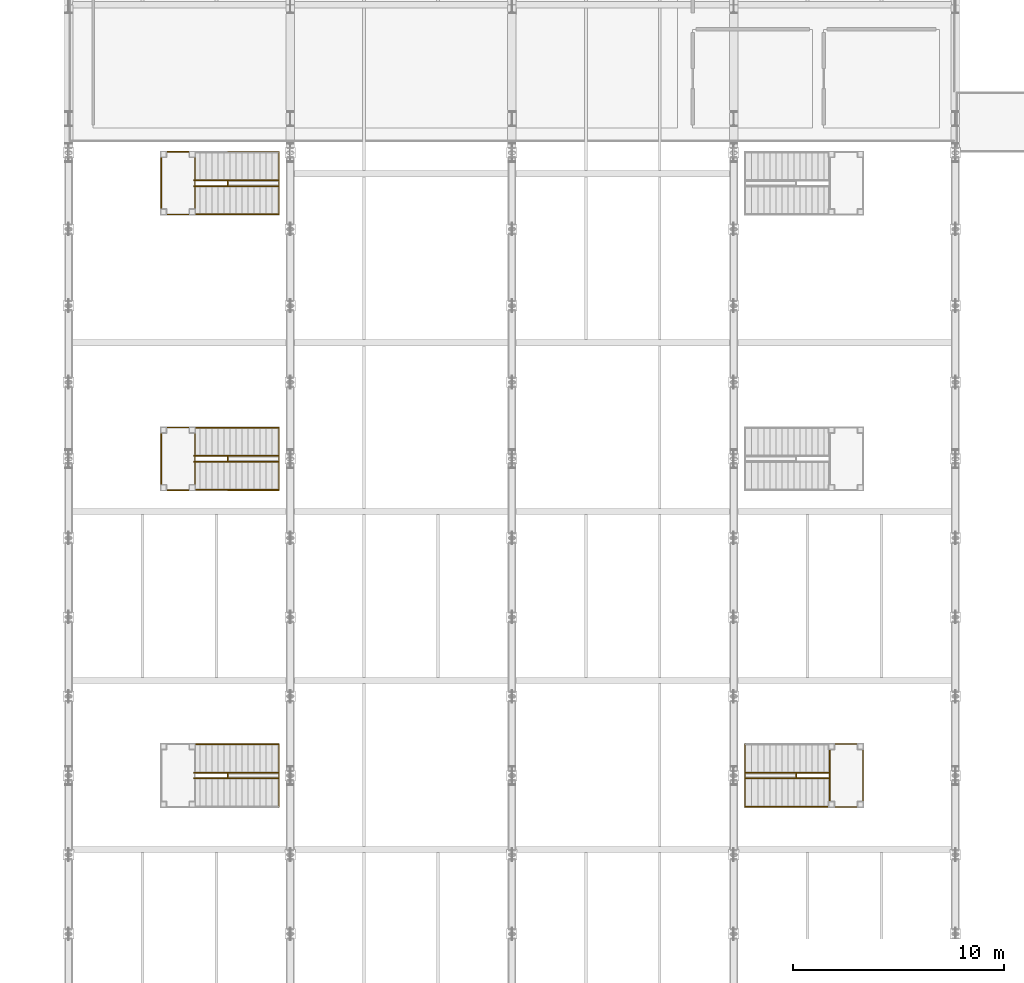
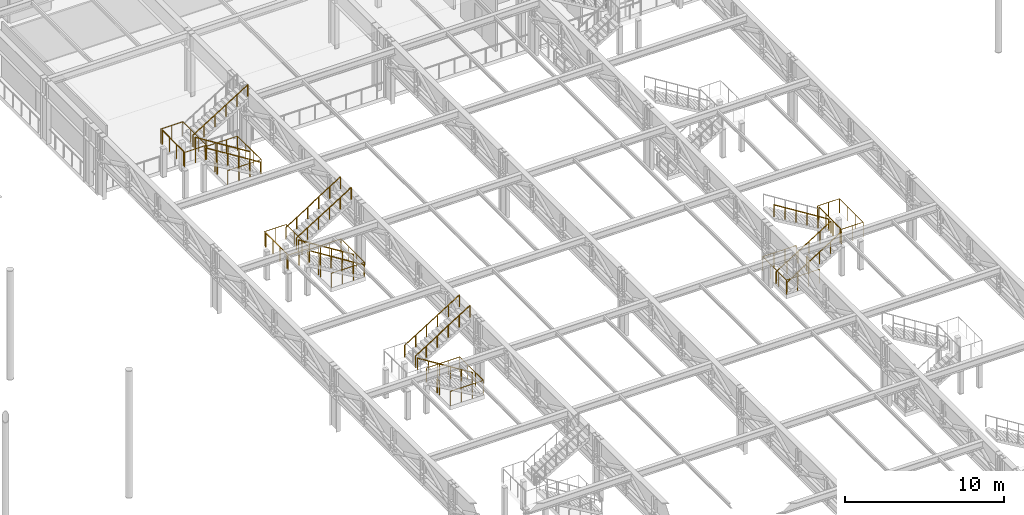
# One storey, part 128 of 143: 27 railings.
"""IFC4 building model written with IfcOpenShell, lengths in metres."""

from ifc_helpers import new_model, si_unit, direction, frame, origin, origin_2d, place, context, subcontext, project, spatial, circle, extrude, material, type_object, element, save


model = new_model("IFC4")

# Units and contexts
model_context = context("Model", 3, precision=1e-05, world=origin(), true_north=direction((0.0, 1.0)))
body_context = subcontext(model_context, "Body", "Model", "MODEL_VIEW")
ifc_project = project(units=[si_unit("LENGTHUNIT", "METRE"), si_unit("AREAUNIT", "SQUARE_METRE"), si_unit("VOLUMEUNIT", "CUBIC_METRE"), si_unit("PLANEANGLEUNIT", "RADIAN"), si_unit("MASSUNIT", "GRAM", prefix="KILO")], contexts=[model_context])

# Site, building, storey
site_placement = place(None, origin())
site = spatial("IfcSite", under=ifc_project, at=site_placement, CompositionType="ELEMENT")
building_placement = place(site_placement, origin())
building = spatial("IfcBuilding", under=site, at=building_placement, Name="Marlcrest Central Station", CompositionType="ELEMENT")
storey_placement = place(building_placement, frame((0.0, 0.0, 4.800048828125)))
storey = spatial("IfcBuildingStorey", under=building, at=storey_placement, Name="L01", CompositionType="ELEMENT", Elevation=4.800048828125)

# Railings
ifc_material_1 = material(Name="Stainless steel and laminated glass concourse balustrade", Category="steel")
railing_type_1 = type_object("IfcRailingType", Name="GR-02", PredefinedType="BALUSTRADE", material=ifc_material_1)
railing_1_placement = place(storey_placement, frame((94.5400390625, 64.510009765625, 0.0)))
element("IfcRailing", 1, at=railing_1_placement, inside=storey, type_object=railing_type_1, Name="hr-L01-00069", PredefinedType="BALUSTRADE", context=body_context, shape_type="SweptSolid", body=[
    extrude(circle(Radius=0.02392578125, at=origin_2d()), frame((0.0, 0.0, 1.09619140625), z_axis=(1.0, 0.0, 0.0), x_axis=(0.0, 1.0, 0.0)), (0.0, 0.0, 1.0), 2.419921875),
    extrude(circle(Radius=0.02392578125, at=origin_2d()), frame((2.419921875, 0.0, 1.09619140625), z_axis=(0.0, 1.0, 0.0), x_axis=(-1.0, 0.0, 0.0)), (0.0, 0.0, 1.0), 2.97998046875),
    extrude(circle(Radius=0.02392578125, at=origin_2d()), frame((2.419921875, 2.97998046875, 1.09619140625), z_axis=(-1.0, 0.0, 0.0), x_axis=(0.0, -1.0, 0.0)), (0.0, 0.0, 1.0), 2.419921875),
    extrude(circle(Radius=0.02099609375, at=origin_2d()), origin(), (0.0, 0.0, 1.0), 1.072021484375),
    extrude(circle(Radius=0.02099609375, at=origin_2d()), frame((0.806640625, 0.0, 0.0)), (0.0, 0.0, 1.0), 1.072021484375),
    extrude(circle(Radius=0.02099609375, at=origin_2d()), frame((1.61328125, 0.0, 0.0)), (0.0, 0.0, 1.0), 1.072021484375),
    extrude(circle(Radius=0.02099609375, at=origin_2d()), frame((2.419921875, 0.0, 0.0)), (0.0, 0.0, 1.0), 1.072021484375),
    extrude(circle(Radius=0.02099609375, at=origin_2d()), frame((2.419921875, 0.993408203125, 0.0)), (0.0, 0.0, 1.0), 1.072021484375),
    extrude(circle(Radius=0.02099609375, at=origin_2d()), frame((2.419921875, 1.986572265625, 0.0)), (0.0, 0.0, 1.0), 1.072021484375),
    extrude(circle(Radius=0.02099609375, at=origin_2d()), frame((2.419921875, 2.97998046875, 0.0)), (0.0, 0.0, 1.0), 1.072021484375),
    extrude(circle(Radius=0.02099609375, at=origin_2d()), frame((1.61328125, 2.97998046875, 0.0)), (0.0, 0.0, 1.0), 1.072021484375),
    extrude(circle(Radius=0.02099609375, at=origin_2d()), frame((0.806640625, 2.97998046875, 0.0)), (0.0, 0.0, 1.0), 1.072021484375),
    extrude(circle(Radius=0.02099609375, at=origin_2d()), frame((0.0, 2.97998046875, 0.0)), (0.0, 0.0, 1.0), 1.072021484375),
])
railing_2_placement = place(storey_placement, frame((94.5400390625, 65.860107421875, 0.0)))
element("IfcRailing", 2, at=railing_2_placement, inside=storey, type_object=railing_type_1, Name="hr-L01-00070", PredefinedType="BALUSTRADE", context=body_context, shape_type="SweptSolid", body=[
    extrude(circle(Radius=0.02392578125, at=origin_2d()), frame((0.0, 0.0, 1.09619140625), z_axis=(0.0, 1.0, 0.0), x_axis=(-1.0, 0.0, 0.0)), (0.0, 0.0, 1.0), 0.27978515625),
    extrude(circle(Radius=0.02099609375, at=origin_2d()), origin(), (0.0, 0.0, 1.0), 1.072021484375),
    extrude(circle(Radius=0.02099609375, at=origin_2d()), frame((0.0, 0.27978515625, 0.0)), (0.0, 0.0, 1.0), 1.072021484375),
])
railing_3_placement = place(storey_placement, frame((121.4599609375, 64.510009765625, 0.0)))
element("IfcRailing", 3, at=railing_3_placement, inside=storey, type_object=railing_type_1, Name="hr-L01-00086", PredefinedType="BALUSTRADE", context=body_context, shape_type="SweptSolid", body=[
    extrude(circle(Radius=0.02392578125, at=origin_2d()), frame((0.0, 0.0, 1.09619140625), z_axis=(-1.0, 0.0, 0.0), x_axis=(0.0, -1.0, 0.0)), (0.0, 0.0, 1.0), 2.419921875),
    extrude(circle(Radius=0.02392578125, at=origin_2d()), frame((-2.419921875, 0.0, 1.09619140625), z_axis=(0.0, 1.0, 0.0), x_axis=(-1.0, 0.0, 0.0)), (0.0, 0.0, 1.0), 2.97998046875),
    extrude(circle(Radius=0.02392578125, at=origin_2d()), frame((-2.419921875, 2.97998046875, 1.09619140625), z_axis=(1.0, 0.0, 0.0), x_axis=(0.0, 1.0, 0.0)), (0.0, 0.0, 1.0), 2.419921875),
    extrude(circle(Radius=0.02099609375, at=origin_2d()), origin(), (0.0, 0.0, 1.0), 1.072021484375),
    extrude(circle(Radius=0.02099609375, at=origin_2d()), frame((-0.806640625, 0.0, 0.0)), (0.0, 0.0, 1.0), 1.072021484375),
    extrude(circle(Radius=0.02099609375, at=origin_2d()), frame((-1.61328125, 0.0, 0.0)), (0.0, 0.0, 1.0), 1.072021484375),
    extrude(circle(Radius=0.02099609375, at=origin_2d()), frame((-2.419921875, 0.0, 0.0)), (0.0, 0.0, 1.0), 1.072021484375),
    extrude(circle(Radius=0.02099609375, at=origin_2d()), frame((-2.419921875, 0.993408203125, 0.0)), (0.0, 0.0, 1.0), 1.072021484375),
    extrude(circle(Radius=0.02099609375, at=origin_2d()), frame((-2.419921875, 1.986572265625, 0.0)), (0.0, 0.0, 1.0), 1.072021484375),
    extrude(circle(Radius=0.02099609375, at=origin_2d()), frame((-2.419921875, 2.97998046875, 0.0)), (0.0, 0.0, 1.0), 1.072021484375),
    extrude(circle(Radius=0.02099609375, at=origin_2d()), frame((-1.61328125, 2.97998046875, 0.0)), (0.0, 0.0, 1.0), 1.072021484375),
    extrude(circle(Radius=0.02099609375, at=origin_2d()), frame((-0.806640625, 2.97998046875, 0.0)), (0.0, 0.0, 1.0), 1.072021484375),
    extrude(circle(Radius=0.02099609375, at=origin_2d()), frame((0.0, 2.97998046875, 0.0)), (0.0, 0.0, 1.0), 1.072021484375),
])
railing_4_placement = place(storey_placement, frame((121.4599609375, 65.860107421875, 0.0)))
element("IfcRailing", 4, at=railing_4_placement, inside=storey, type_object=railing_type_1, Name="hr-L01-00087", PredefinedType="BALUSTRADE", context=body_context, shape_type="SweptSolid", body=[
    extrude(circle(Radius=0.02392578125, at=origin_2d()), frame((0.0, 0.0, 1.09619140625), z_axis=(0.0, 1.0, 0.0), x_axis=(-1.0, 0.0, 0.0)), (0.0, 0.0, 1.0), 0.27978515625),
    extrude(circle(Radius=0.02099609375, at=origin_2d()), origin(), (0.0, 0.0, 1.0), 1.072021484375),
    extrude(circle(Radius=0.02099609375, at=origin_2d()), frame((0.0, 0.27978515625, 0.0)), (0.0, 0.0, 1.0), 1.072021484375),
])
railing_5_placement = place(storey_placement, frame((123.02001953125, 64.510009765625, 2.5)))
element("IfcRailing", 5, at=railing_5_placement, inside=storey, type_object=railing_type_1, Name="hr-L01-00101", PredefinedType="BALUSTRADE", context=body_context, shape_type="SweptSolid", body=[
    extrude(circle(Radius=0.02392578125, at=origin_2d()), frame((0.0, 0.0, 1.09619140625), z_axis=(1.0, 0.0, 0.0), x_axis=(0.0, 1.0, 0.0)), (0.0, 0.0, 1.0), 1.60009765625),
    extrude(circle(Radius=0.02392578125, at=origin_2d()), frame((1.60009765625, 0.0, 1.09619140625), z_axis=(0.0, 1.0, 0.0), x_axis=(-1.0, 0.0, 0.0)), (0.0, 0.0, 1.0), 2.97998046875),
    extrude(circle(Radius=0.02392578125, at=origin_2d()), frame((1.60009765625, 2.97998046875, 1.09619140625), z_axis=(-1.0, 0.0, 0.0), x_axis=(0.0, -1.0, 0.0)), (0.0, 0.0, 1.0), 1.60009765625),
    extrude(circle(Radius=0.02099609375, at=origin_2d()), origin(), (0.0, 0.0, 1.0), 1.072021484375),
    extrude(circle(Radius=0.02099609375, at=origin_2d()), frame((0.800048828125, 0.0, 0.0)), (0.0, 0.0, 1.0), 1.072021484375),
    extrude(circle(Radius=0.02099609375, at=origin_2d()), frame((1.60009765625, 0.0, 0.0)), (0.0, 0.0, 1.0), 1.072021484375),
    extrude(circle(Radius=0.02099609375, at=origin_2d()), frame((1.60009765625, 0.993408203125, 0.0)), (0.0, 0.0, 1.0), 1.072021484375),
    extrude(circle(Radius=0.02099609375, at=origin_2d()), frame((1.60009765625, 1.986572265625, 0.0)), (0.0, 0.0, 1.0), 1.072021484375),
    extrude(circle(Radius=0.02099609375, at=origin_2d()), frame((1.60009765625, 2.97998046875, 0.0)), (0.0, 0.0, 1.0), 1.072021484375),
    extrude(circle(Radius=0.02099609375, at=origin_2d()), frame((0.800048828125, 2.97998046875, 0.0)), (0.0, 0.0, 1.0), 1.072021484375),
    extrude(circle(Radius=0.02099609375, at=origin_2d()), frame((0.0, 2.97998046875, 0.0)), (0.0, 0.0, 1.0), 1.072021484375),
])
railing_6_placement = place(storey_placement, frame((94.5400390625, 79.510009765625, 0.0)))
element("IfcRailing", 6, at=railing_6_placement, inside=storey, type_object=railing_type_1, Name="hr-L01-00103", PredefinedType="BALUSTRADE", context=body_context, shape_type="SweptSolid", body=[
    extrude(circle(Radius=0.02392578125, at=origin_2d()), frame((0.0, 0.0, 1.09619140625), z_axis=(1.0, 0.0, 0.0), x_axis=(0.0, 1.0, 0.0)), (0.0, 0.0, 1.0), 2.419921875),
    extrude(circle(Radius=0.02392578125, at=origin_2d()), frame((2.419921875, 0.0, 1.09619140625), z_axis=(0.0, 1.0, 0.0), x_axis=(-1.0, 0.0, 0.0)), (0.0, 0.0, 1.0), 2.97998046875),
    extrude(circle(Radius=0.02392578125, at=origin_2d()), frame((2.419921875, 2.97998046875, 1.09619140625), z_axis=(-1.0, 0.0, 0.0), x_axis=(0.0, -1.0, 0.0)), (0.0, 0.0, 1.0), 2.419921875),
    extrude(circle(Radius=0.02099609375, at=origin_2d()), origin(), (0.0, 0.0, 1.0), 1.072021484375),
    extrude(circle(Radius=0.02099609375, at=origin_2d()), frame((0.806640625, 0.0, 0.0)), (0.0, 0.0, 1.0), 1.072021484375),
    extrude(circle(Radius=0.02099609375, at=origin_2d()), frame((1.61328125, 0.0, 0.0)), (0.0, 0.0, 1.0), 1.072021484375),
    extrude(circle(Radius=0.02099609375, at=origin_2d()), frame((2.419921875, 0.0, 0.0)), (0.0, 0.0, 1.0), 1.072021484375),
    extrude(circle(Radius=0.02099609375, at=origin_2d()), frame((2.419921875, 0.993408203125, 0.0)), (0.0, 0.0, 1.0), 1.072021484375),
    extrude(circle(Radius=0.02099609375, at=origin_2d()), frame((2.419921875, 1.986572265625, 0.0)), (0.0, 0.0, 1.0), 1.072021484375),
    extrude(circle(Radius=0.02099609375, at=origin_2d()), frame((2.419921875, 2.97998046875, 0.0)), (0.0, 0.0, 1.0), 1.072021484375),
    extrude(circle(Radius=0.02099609375, at=origin_2d()), frame((1.61328125, 2.97998046875, 0.0)), (0.0, 0.0, 1.0), 1.072021484375),
    extrude(circle(Radius=0.02099609375, at=origin_2d()), frame((0.806640625, 2.97998046875, 0.0)), (0.0, 0.0, 1.0), 1.072021484375),
    extrude(circle(Radius=0.02099609375, at=origin_2d()), frame((0.0, 2.97998046875, 0.0)), (0.0, 0.0, 1.0), 1.072021484375),
])
railing_7_placement = place(storey_placement, frame((94.5400390625, 80.860107421875, 0.0)))
element("IfcRailing", 7, at=railing_7_placement, inside=storey, type_object=railing_type_1, Name="hr-L01-00104", PredefinedType="BALUSTRADE", context=body_context, shape_type="SweptSolid", body=[
    extrude(circle(Radius=0.02392578125, at=origin_2d()), frame((0.0, 0.0, 1.09619140625), z_axis=(0.0, 1.0, 0.0), x_axis=(-1.0, 0.0, 0.0)), (0.0, 0.0, 1.0), 0.27978515625),
    extrude(circle(Radius=0.02099609375, at=origin_2d()), origin(), (0.0, 0.0, 1.0), 1.072021484375),
    extrude(circle(Radius=0.02099609375, at=origin_2d()), frame((0.0, 0.27978515625, 0.0)), (0.0, 0.0, 1.0), 1.072021484375),
])
railing_8_placement = place(storey_placement, frame((91.3798828125, 79.510009765625, 2.5)))
element("IfcRailing", 8, at=railing_8_placement, inside=storey, type_object=railing_type_1, Name="hr-L01-00118", PredefinedType="BALUSTRADE", context=body_context, shape_type="SweptSolid", body=[
    extrude(circle(Radius=0.02392578125, at=origin_2d()), frame((0.0, 0.0, 1.09619140625), z_axis=(1.0, 0.0, 0.0), x_axis=(0.0, 1.0, 0.0)), (0.0, 0.0, 1.0), 1.60009765625),
    extrude(circle(Radius=0.02392578125, at=origin_2d()), frame((1.60009765625, 0.0, 1.09619140625), z_axis=(0.0, 1.0, 0.0), x_axis=(-1.0, 0.0, 0.0)), (0.0, 0.0, 1.0), 2.97998046875),
    extrude(circle(Radius=0.02392578125, at=origin_2d()), frame((1.60009765625, 2.97998046875, 1.09619140625), z_axis=(-1.0, 0.0, 0.0), x_axis=(0.0, -1.0, 0.0)), (0.0, 0.0, 1.0), 1.60009765625),
    extrude(circle(Radius=0.02099609375, at=origin_2d()), origin(), (0.0, 0.0, 1.0), 1.072021484375),
    extrude(circle(Radius=0.02099609375, at=origin_2d()), frame((0.800048828125, 0.0, 0.0)), (0.0, 0.0, 1.0), 1.072021484375),
    extrude(circle(Radius=0.02099609375, at=origin_2d()), frame((1.60009765625, 0.0, 0.0)), (0.0, 0.0, 1.0), 1.072021484375),
    extrude(circle(Radius=0.02099609375, at=origin_2d()), frame((1.60009765625, 0.993408203125, 0.0)), (0.0, 0.0, 1.0), 1.072021484375),
    extrude(circle(Radius=0.02099609375, at=origin_2d()), frame((1.60009765625, 1.986572265625, 0.0)), (0.0, 0.0, 1.0), 1.072021484375),
    extrude(circle(Radius=0.02099609375, at=origin_2d()), frame((1.60009765625, 2.97998046875, 0.0)), (0.0, 0.0, 1.0), 1.072021484375),
    extrude(circle(Radius=0.02099609375, at=origin_2d()), frame((0.800048828125, 2.97998046875, 0.0)), (0.0, 0.0, 1.0), 1.072021484375),
    extrude(circle(Radius=0.02099609375, at=origin_2d()), frame((0.0, 2.97998046875, 0.0)), (0.0, 0.0, 1.0), 1.072021484375),
])
railing_9_placement = place(storey_placement, frame((94.5400390625, 92.56005859375, 0.0)))
element("IfcRailing", 9, at=railing_9_placement, inside=storey, type_object=railing_type_1, Name="hr-L01-00137", PredefinedType="BALUSTRADE", context=body_context, shape_type="SweptSolid", body=[
    extrude(circle(Radius=0.02392578125, at=origin_2d()), frame((0.0, 0.0, 1.09619140625), z_axis=(1.0, 0.0, 0.0), x_axis=(0.0, 1.0, 0.0)), (0.0, 0.0, 1.0), 2.419921875),
    extrude(circle(Radius=0.02392578125, at=origin_2d()), frame((2.419921875, 0.0, 1.09619140625), z_axis=(0.0, 1.0, 0.0), x_axis=(-1.0, 0.0, 0.0)), (0.0, 0.0, 1.0), 2.97998046875),
    extrude(circle(Radius=0.02392578125, at=origin_2d()), frame((2.419921875, 2.97998046875, 1.09619140625), z_axis=(-1.0, 0.0, 0.0), x_axis=(0.0, -1.0, 0.0)), (0.0, 0.0, 1.0), 2.419921875),
    extrude(circle(Radius=0.02099609375, at=origin_2d()), origin(), (0.0, 0.0, 1.0), 1.072021484375),
    extrude(circle(Radius=0.02099609375, at=origin_2d()), frame((0.806640625, 0.0, 0.0)), (0.0, 0.0, 1.0), 1.072021484375),
    extrude(circle(Radius=0.02099609375, at=origin_2d()), frame((1.61328125, 0.0, 0.0)), (0.0, 0.0, 1.0), 1.072021484375),
    extrude(circle(Radius=0.02099609375, at=origin_2d()), frame((2.419921875, 0.0, 0.0)), (0.0, 0.0, 1.0), 1.072021484375),
    extrude(circle(Radius=0.02099609375, at=origin_2d()), frame((2.419921875, 0.993408203125, 0.0)), (0.0, 0.0, 1.0), 1.072021484375),
    extrude(circle(Radius=0.02099609375, at=origin_2d()), frame((2.419921875, 1.986572265625, 0.0)), (0.0, 0.0, 1.0), 1.072021484375),
    extrude(circle(Radius=0.02099609375, at=origin_2d()), frame((2.419921875, 2.97998046875, 0.0)), (0.0, 0.0, 1.0), 1.072021484375),
    extrude(circle(Radius=0.02099609375, at=origin_2d()), frame((1.61328125, 2.97998046875, 0.0)), (0.0, 0.0, 1.0), 1.072021484375),
    extrude(circle(Radius=0.02099609375, at=origin_2d()), frame((0.806640625, 2.97998046875, 0.0)), (0.0, 0.0, 1.0), 1.072021484375),
    extrude(circle(Radius=0.02099609375, at=origin_2d()), frame((0.0, 2.97998046875, 0.0)), (0.0, 0.0, 1.0), 1.072021484375),
])
railing_10_placement = place(storey_placement, frame((94.5400390625, 93.909912109375, 0.0)))
element("IfcRailing", 10, at=railing_10_placement, inside=storey, type_object=railing_type_1, Name="hr-L01-00138", PredefinedType="BALUSTRADE", context=body_context, shape_type="SweptSolid", body=[
    extrude(circle(Radius=0.02392578125, at=origin_2d()), frame((0.0, 0.0, 1.09619140625), z_axis=(0.0, 1.0, 0.0), x_axis=(-1.0, 0.0, 0.0)), (0.0, 0.0, 1.0), 0.280029296875),
    extrude(circle(Radius=0.02099609375, at=origin_2d()), origin(), (0.0, 0.0, 1.0), 1.072021484375),
    extrude(circle(Radius=0.02099609375, at=origin_2d()), frame((0.0, 0.280029296875, 0.0)), (0.0, 0.0, 1.0), 1.072021484375),
])
railing_11_placement = place(storey_placement, frame((91.3798828125, 92.56005859375, 2.5)))
element("IfcRailing", 11, at=railing_11_placement, inside=storey, type_object=railing_type_1, Name="hr-L01-00152", PredefinedType="BALUSTRADE", context=body_context, shape_type="SweptSolid", body=[
    extrude(circle(Radius=0.02392578125, at=origin_2d()), frame((0.0, 0.0, 1.09619140625), z_axis=(1.0, 0.0, 0.0), x_axis=(0.0, 1.0, 0.0)), (0.0, 0.0, 1.0), 1.60009765625),
    extrude(circle(Radius=0.02392578125, at=origin_2d()), frame((1.60009765625, 0.0, 1.09619140625), z_axis=(0.0, 1.0, 0.0), x_axis=(-1.0, 0.0, 0.0)), (0.0, 0.0, 1.0), 2.97998046875),
    extrude(circle(Radius=0.02392578125, at=origin_2d()), frame((1.60009765625, 2.97998046875, 1.09619140625), z_axis=(-1.0, 0.0, 0.0), x_axis=(0.0, -1.0, 0.0)), (0.0, 0.0, 1.0), 1.60009765625),
    extrude(circle(Radius=0.02099609375, at=origin_2d()), origin(), (0.0, 0.0, 1.0), 1.072021484375),
    extrude(circle(Radius=0.02099609375, at=origin_2d()), frame((0.800048828125, 0.0, 0.0)), (0.0, 0.0, 1.0), 1.072021484375),
    extrude(circle(Radius=0.02099609375, at=origin_2d()), frame((1.60009765625, 0.0, 0.0)), (0.0, 0.0, 1.0), 1.072021484375),
    extrude(circle(Radius=0.02099609375, at=origin_2d()), frame((1.60009765625, 0.993408203125, 0.0)), (0.0, 0.0, 1.0), 1.072021484375),
    extrude(circle(Radius=0.02099609375, at=origin_2d()), frame((1.60009765625, 1.986572265625, 0.0)), (0.0, 0.0, 1.0), 1.072021484375),
    extrude(circle(Radius=0.02099609375, at=origin_2d()), frame((1.60009765625, 2.97998046875, 0.0)), (0.0, 0.0, 1.0), 1.072021484375),
    extrude(circle(Radius=0.02099609375, at=origin_2d()), frame((0.800048828125, 2.97998046875, 0.0)), (0.0, 0.0, 1.0), 1.072021484375),
    extrude(circle(Radius=0.02099609375, at=origin_2d()), frame((0.0, 2.97998046875, 0.0)), (0.0, 0.0, 1.0), 1.072021484375),
])
for number, where, name in (
    (12, (123.0400390625, 64.64990234375, 2.5), "hr-L01-00580"),
    (13, (91.39990234375, 79.64990234375, 2.5), "hr-L01-00582"),
):
    element("IfcRailing", number, at=place(storey_placement, frame(where)), inside=storey, type_object=railing_type_1, Name=name, PredefinedType="BALUSTRADE", context=body_context, shape_type="SweptSolid", body=[
        extrude(circle(Radius=0.02392578125, at=origin_2d()), frame((0.0, 0.0, 1.09619140625), z_axis=(0.0, 1.0, 0.0), x_axis=(-1.0, 0.0, 0.0)), (0.0, 0.0, 1.0), 2.7001953125),
        extrude(circle(Radius=0.02099609375, at=origin_2d()), origin(), (0.0, 0.0, 1.0), 1.072021484375),
        extrude(circle(Radius=0.02099609375, at=origin_2d()), frame((0.0, 0.900146484375, 0.0)), (0.0, 0.0, 1.0), 1.072021484375),
        extrude(circle(Radius=0.02099609375, at=origin_2d()), frame((0.0, 1.800048828125, 0.0)), (0.0, 0.0, 1.0), 1.072021484375),
        extrude(circle(Radius=0.02099609375, at=origin_2d()), frame((0.0, 2.7001953125, 0.0)), (0.0, 0.0, 1.0), 1.072021484375),
    ])
railing_12_placement = place(storey_placement, frame((91.39990234375, 92.699951171875, 2.5)))
element("IfcRailing", 14, at=railing_12_placement, inside=storey, type_object=railing_type_1, Name="hr-L01-00586", PredefinedType="BALUSTRADE", context=body_context, shape_type="SweptSolid", body=[
    extrude(circle(Radius=0.02392578125, at=origin_2d()), frame((0.0, 0.0, 1.09619140625), z_axis=(0.0, 1.0, 0.0), x_axis=(-1.0, 0.0, 0.0)), (0.0, 0.0, 1.0), 2.699951171875),
    extrude(circle(Radius=0.02099609375, at=origin_2d()), origin(), (0.0, 0.0, 1.0), 1.072021484375),
    extrude(circle(Radius=0.02099609375, at=origin_2d()), frame((0.0, 0.89990234375, 0.0)), (0.0, 0.0, 1.0), 1.072021484375),
    extrude(circle(Radius=0.02099609375, at=origin_2d()), frame((0.0, 1.800048828125, 0.0)), (0.0, 0.0, 1.0), 1.072021484375),
    extrude(circle(Radius=0.02099609375, at=origin_2d()), frame((0.0, 2.699951171875, 0.0)), (0.0, 0.0, 1.0), 1.072021484375),
])
ifc_material_2 = material(Name="Brushed stainless steel handrail", Category="steel")
railing_type_2 = type_object("IfcRailingType", Name="HR-01", PredefinedType="HANDRAIL", material=ifc_material_2)
railing_13_placement = place(storey_placement, frame((92.93994140625, 66.135009765625, 2.5)))
element("IfcRailing", 15, at=railing_13_placement, inside=storey, type_object=railing_type_2, Name="hr-L01-00081", PredefinedType="HANDRAIL", context=body_context, shape_type="SweptSolid", body=[
    extrude(circle(Radius=0.02392578125, at=origin_2d()), frame((0.0, 0.0, 0.89599609375), z_axis=(0.847400605549, 0.0, 0.530954059892), x_axis=(0.0, 1.0, 0.0)), (0.0, 0.0, 1.0), 4.70849609375),
    extrude(circle(Radius=0.02099609375, at=origin_2d()), origin(), (0.0, 0.0, 1.0), 0.871826171875),
    extrude(circle(Radius=0.02099609375, at=origin_2d()), frame((0.798095703125, 0.0, 0.5)), (0.0, 0.0, 1.0), 0.871826171875),
    extrude(circle(Radius=0.02099609375, at=origin_2d()), frame((1.595947265625, 0.0, 1.0)), (0.0, 0.0, 1.0), 0.871826171875),
    extrude(circle(Radius=0.02099609375, at=origin_2d()), frame((2.39404296875, 0.0, 1.5)), (0.0, 0.0, 1.0), 0.871826171875),
    extrude(circle(Radius=0.02099609375, at=origin_2d()), frame((3.19189453125, 0.0, 2.0)), (0.0, 0.0, 1.0), 0.871826171875),
    extrude(circle(Radius=0.02099609375, at=origin_2d()), frame((3.989990234375, 0.0, 2.5)), (0.0, 0.0, 1.0), 0.871826171875),
])
railing_14_placement = place(storey_placement, frame((96.929931640625, 65.864990234375, 0.0)))
element("IfcRailing", 16, at=railing_14_placement, inside=storey, type_object=railing_type_2, Name="hr-L01-00082", PredefinedType="HANDRAIL", context=body_context, shape_type="SweptSolid", body=[
    extrude(circle(Radius=0.02392578125, at=origin_2d()), frame((0.0, 0.0, 0.89599609375), z_axis=(-0.847400605549, 0.0, 0.530954059892), x_axis=(0.0, -1.0, 0.0)), (0.0, 0.0, 1.0), 4.70849609375),
    extrude(circle(Radius=0.02099609375, at=origin_2d()), origin(), (0.0, 0.0, 1.0), 0.871826171875),
    extrude(circle(Radius=0.02099609375, at=origin_2d()), frame((-0.798095703125, 0.0, 0.5)), (0.0, 0.0, 1.0), 0.871826171875),
    extrude(circle(Radius=0.02099609375, at=origin_2d()), frame((-1.595947265625, 0.0, 1.0)), (0.0, 0.0, 1.0), 0.871826171875),
    extrude(circle(Radius=0.02099609375, at=origin_2d()), frame((-2.39404296875, 0.0, 1.5)), (0.0, 0.0, 1.0), 0.871826171875),
    extrude(circle(Radius=0.02099609375, at=origin_2d()), frame((-3.19189453125, 0.0, 2.0)), (0.0, 0.0, 1.0), 0.871826171875),
    extrude(circle(Radius=0.02099609375, at=origin_2d()), frame((-3.989990234375, 0.0, 2.5)), (0.0, 0.0, 1.0), 0.871826171875),
])
for number, where, name in (
    (17, (92.93994140625, 67.47509765625, 2.5), "hr-L01-00083"),
    (18, (119.070068359375, 64.52490234375, 0.0), "hr-L01-00097"),
):
    element("IfcRailing", number, at=place(storey_placement, frame(where)), inside=storey, type_object=railing_type_2, Name=name, PredefinedType="HANDRAIL", context=body_context, shape_type="SweptSolid", body=[
        extrude(circle(Radius=0.02392578125, at=origin_2d()), frame((0.0, 0.0, 0.89599609375), z_axis=(0.847400605549, 0.0, 0.530954059892), x_axis=(0.0, 1.0, 0.0)), (0.0, 0.0, 1.0), 4.70849609375),
        extrude(circle(Radius=0.02099609375, at=origin_2d()), origin(), (0.0, 0.0, 1.0), 0.871826171875),
        extrude(circle(Radius=0.02099609375, at=origin_2d()), frame((0.798095703125, 0.0, 0.5)), (0.0, 0.0, 1.0), 0.871826171875),
        extrude(circle(Radius=0.02099609375, at=origin_2d()), frame((1.595947265625, 0.0, 1.0)), (0.0, 0.0, 1.0), 0.871826171875),
        extrude(circle(Radius=0.02099609375, at=origin_2d()), frame((2.39404296875, 0.0, 1.5)), (0.0, 0.0, 1.0), 0.871826171875),
        extrude(circle(Radius=0.02099609375, at=origin_2d()), frame((3.19189453125, 0.0, 2.0)), (0.0, 0.0, 1.0), 0.871826171875),
        extrude(circle(Radius=0.02099609375, at=origin_2d()), frame((3.989990234375, 0.0, 2.5)), (0.0, 0.0, 1.0), 0.871826171875),
    ])
railing_15_placement = place(storey_placement, frame((123.06005859375, 66.135009765625, 2.5)))
element("IfcRailing", 19, at=railing_15_placement, inside=storey, type_object=railing_type_2, Name="hr-L01-00098", PredefinedType="HANDRAIL", context=body_context, shape_type="SweptSolid", body=[
    extrude(circle(Radius=0.02392578125, at=origin_2d()), frame((0.0, 0.0, 0.89599609375), z_axis=(-0.847400605549, 0.0, 0.530954059892), x_axis=(0.0, -1.0, 0.0)), (0.0, 0.0, 1.0), 4.70849609375),
    extrude(circle(Radius=0.02099609375, at=origin_2d()), origin(), (0.0, 0.0, 1.0), 0.871826171875),
    extrude(circle(Radius=0.02099609375, at=origin_2d()), frame((-0.798095703125, 0.0, 0.5)), (0.0, 0.0, 1.0), 0.871826171875),
    extrude(circle(Radius=0.02099609375, at=origin_2d()), frame((-1.595947265625, 0.0, 1.0)), (0.0, 0.0, 1.0), 0.871826171875),
    extrude(circle(Radius=0.02099609375, at=origin_2d()), frame((-2.39404296875, 0.0, 1.5)), (0.0, 0.0, 1.0), 0.871826171875),
    extrude(circle(Radius=0.02099609375, at=origin_2d()), frame((-3.19189453125, 0.0, 2.0)), (0.0, 0.0, 1.0), 0.871826171875),
    extrude(circle(Radius=0.02099609375, at=origin_2d()), frame((-3.989990234375, 0.0, 2.5)), (0.0, 0.0, 1.0), 0.871826171875),
])
railing_16_placement = place(storey_placement, frame((119.070068359375, 65.864990234375, 0.0)))
element("IfcRailing", 20, at=railing_16_placement, inside=storey, type_object=railing_type_2, Name="hr-L01-00099", PredefinedType="HANDRAIL", context=body_context, shape_type="SweptSolid", body=[
    extrude(circle(Radius=0.02392578125, at=origin_2d()), frame((0.0, 0.0, 0.89599609375), z_axis=(0.847400605549, 0.0, 0.530954059892), x_axis=(0.0, 1.0, 0.0)), (0.0, 0.0, 1.0), 4.70849609375),
    extrude(circle(Radius=0.02099609375, at=origin_2d()), origin(), (0.0, 0.0, 1.0), 0.871826171875),
    extrude(circle(Radius=0.02099609375, at=origin_2d()), frame((0.798095703125, 0.0, 0.5)), (0.0, 0.0, 1.0), 0.871826171875),
    extrude(circle(Radius=0.02099609375, at=origin_2d()), frame((1.595947265625, 0.0, 1.0)), (0.0, 0.0, 1.0), 0.871826171875),
    extrude(circle(Radius=0.02099609375, at=origin_2d()), frame((2.39404296875, 0.0, 1.5)), (0.0, 0.0, 1.0), 0.871826171875),
    extrude(circle(Radius=0.02099609375, at=origin_2d()), frame((3.19189453125, 0.0, 2.0)), (0.0, 0.0, 1.0), 0.871826171875),
    extrude(circle(Radius=0.02099609375, at=origin_2d()), frame((3.989990234375, 0.0, 2.5)), (0.0, 0.0, 1.0), 0.871826171875),
])
railing_17_placement = place(storey_placement, frame((96.929931640625, 79.52490234375, 0.0)))
element("IfcRailing", 21, at=railing_17_placement, inside=storey, type_object=railing_type_2, Name="hr-L01-00114", PredefinedType="HANDRAIL", context=body_context, shape_type="SweptSolid", body=[
    extrude(circle(Radius=0.02392578125, at=origin_2d()), frame((0.0, 0.0, 0.89599609375), z_axis=(-0.847400605549, 0.0, 0.530954059892), x_axis=(0.0, -1.0, 0.0)), (0.0, 0.0, 1.0), 4.70849609375),
    extrude(circle(Radius=0.02099609375, at=origin_2d()), origin(), (0.0, 0.0, 1.0), 0.871826171875),
    extrude(circle(Radius=0.02099609375, at=origin_2d()), frame((-0.798095703125, 0.0, 0.5)), (0.0, 0.0, 1.0), 0.871826171875),
    extrude(circle(Radius=0.02099609375, at=origin_2d()), frame((-1.595947265625, 0.0, 1.0)), (0.0, 0.0, 1.0), 0.871826171875),
    extrude(circle(Radius=0.02099609375, at=origin_2d()), frame((-2.39404296875, 0.0, 1.5)), (0.0, 0.0, 1.0), 0.871826171875),
    extrude(circle(Radius=0.02099609375, at=origin_2d()), frame((-3.19189453125, 0.0, 2.0)), (0.0, 0.0, 1.0), 0.871826171875),
    extrude(circle(Radius=0.02099609375, at=origin_2d()), frame((-3.989990234375, 0.0, 2.5)), (0.0, 0.0, 1.0), 0.871826171875),
])
railing_18_placement = place(storey_placement, frame((92.93994140625, 81.135009765625, 2.5)))
element("IfcRailing", 22, at=railing_18_placement, inside=storey, type_object=railing_type_2, Name="hr-L01-00115", PredefinedType="HANDRAIL", context=body_context, shape_type="SweptSolid", body=[
    extrude(circle(Radius=0.02392578125, at=origin_2d()), frame((0.0, 0.0, 0.89599609375), z_axis=(0.847400605549, 0.0, 0.530954059892), x_axis=(0.0, 1.0, 0.0)), (0.0, 0.0, 1.0), 4.70849609375),
    extrude(circle(Radius=0.02099609375, at=origin_2d()), origin(), (0.0, 0.0, 1.0), 0.871826171875),
    extrude(circle(Radius=0.02099609375, at=origin_2d()), frame((0.798095703125, 0.0, 0.5)), (0.0, 0.0, 1.0), 0.871826171875),
    extrude(circle(Radius=0.02099609375, at=origin_2d()), frame((1.595947265625, 0.0, 1.0)), (0.0, 0.0, 1.0), 0.871826171875),
    extrude(circle(Radius=0.02099609375, at=origin_2d()), frame((2.39404296875, 0.0, 1.5)), (0.0, 0.0, 1.0), 0.871826171875),
    extrude(circle(Radius=0.02099609375, at=origin_2d()), frame((3.19189453125, 0.0, 2.0)), (0.0, 0.0, 1.0), 0.871826171875),
    extrude(circle(Radius=0.02099609375, at=origin_2d()), frame((3.989990234375, 0.0, 2.5)), (0.0, 0.0, 1.0), 0.871826171875),
])
railing_19_placement = place(storey_placement, frame((96.929931640625, 80.864990234375, 0.0)))
element("IfcRailing", 23, at=railing_19_placement, inside=storey, type_object=railing_type_2, Name="hr-L01-00116", PredefinedType="HANDRAIL", context=body_context, shape_type="SweptSolid", body=[
    extrude(circle(Radius=0.02392578125, at=origin_2d()), frame((0.0, 0.0, 0.89599609375), z_axis=(-0.847400605549, 0.0, 0.530954059892), x_axis=(0.0, -1.0, 0.0)), (0.0, 0.0, 1.0), 4.70849609375),
    extrude(circle(Radius=0.02099609375, at=origin_2d()), origin(), (0.0, 0.0, 1.0), 0.871826171875),
    extrude(circle(Radius=0.02099609375, at=origin_2d()), frame((-0.798095703125, 0.0, 0.5)), (0.0, 0.0, 1.0), 0.871826171875),
    extrude(circle(Radius=0.02099609375, at=origin_2d()), frame((-1.595947265625, 0.0, 1.0)), (0.0, 0.0, 1.0), 0.871826171875),
    extrude(circle(Radius=0.02099609375, at=origin_2d()), frame((-2.39404296875, 0.0, 1.5)), (0.0, 0.0, 1.0), 0.871826171875),
    extrude(circle(Radius=0.02099609375, at=origin_2d()), frame((-3.19189453125, 0.0, 2.0)), (0.0, 0.0, 1.0), 0.871826171875),
    extrude(circle(Radius=0.02099609375, at=origin_2d()), frame((-3.989990234375, 0.0, 2.5)), (0.0, 0.0, 1.0), 0.871826171875),
])
railing_20_placement = place(storey_placement, frame((92.93994140625, 82.47509765625, 2.5)))
element("IfcRailing", 24, at=railing_20_placement, inside=storey, type_object=railing_type_2, Name="hr-L01-00117", PredefinedType="HANDRAIL", context=body_context, shape_type="SweptSolid", body=[
    extrude(circle(Radius=0.02392578125, at=origin_2d()), frame((0.0, 0.0, 0.89599609375), z_axis=(0.847400605549, 0.0, 0.530954059892), x_axis=(0.0, 1.0, 0.0)), (0.0, 0.0, 1.0), 4.70849609375),
    extrude(circle(Radius=0.02099609375, at=origin_2d()), origin(), (0.0, 0.0, 1.0), 0.871826171875),
    extrude(circle(Radius=0.02099609375, at=origin_2d()), frame((0.798095703125, 0.0, 0.5)), (0.0, 0.0, 1.0), 0.871826171875),
    extrude(circle(Radius=0.02099609375, at=origin_2d()), frame((1.595947265625, 0.0, 1.0)), (0.0, 0.0, 1.0), 0.871826171875),
    extrude(circle(Radius=0.02099609375, at=origin_2d()), frame((2.39404296875, 0.0, 1.5)), (0.0, 0.0, 1.0), 0.871826171875),
    extrude(circle(Radius=0.02099609375, at=origin_2d()), frame((3.19189453125, 0.0, 2.0)), (0.0, 0.0, 1.0), 0.871826171875),
    extrude(circle(Radius=0.02099609375, at=origin_2d()), frame((3.989990234375, 0.0, 2.5)), (0.0, 0.0, 1.0), 0.871826171875),
])
railing_21_placement = place(storey_placement, frame((96.929931640625, 92.574951171875, 0.0)))
element("IfcRailing", 25, at=railing_21_placement, inside=storey, type_object=railing_type_2, Name="hr-L01-00148", PredefinedType="HANDRAIL", context=body_context, shape_type="SweptSolid", body=[
    extrude(circle(Radius=0.02392578125, at=origin_2d()), frame((0.0, 0.0, 0.89599609375), z_axis=(-0.847400605549, 0.0, 0.530954059892), x_axis=(0.0, -1.0, 0.0)), (0.0, 0.0, 1.0), 4.70849609375),
    extrude(circle(Radius=0.02099609375, at=origin_2d()), origin(), (0.0, 0.0, 1.0), 0.871826171875),
    extrude(circle(Radius=0.02099609375, at=origin_2d()), frame((-0.798095703125, 0.0, 0.5)), (0.0, 0.0, 1.0), 0.871826171875),
    extrude(circle(Radius=0.02099609375, at=origin_2d()), frame((-1.595947265625, 0.0, 1.0)), (0.0, 0.0, 1.0), 0.871826171875),
    extrude(circle(Radius=0.02099609375, at=origin_2d()), frame((-2.39404296875, 0.0, 1.5)), (0.0, 0.0, 1.0), 0.871826171875),
    extrude(circle(Radius=0.02099609375, at=origin_2d()), frame((-3.19189453125, 0.0, 2.0)), (0.0, 0.0, 1.0), 0.871826171875),
    extrude(circle(Radius=0.02099609375, at=origin_2d()), frame((-3.989990234375, 0.0, 2.5)), (0.0, 0.0, 1.0), 0.871826171875),
])
railing_22_placement = place(storey_placement, frame((92.93994140625, 94.18505859375, 2.5)))
element("IfcRailing", 26, at=railing_22_placement, inside=storey, type_object=railing_type_2, Name="hr-L01-00149", PredefinedType="HANDRAIL", context=body_context, shape_type="SweptSolid", body=[
    extrude(circle(Radius=0.02392578125, at=origin_2d()), frame((0.0, 0.0, 0.89599609375), z_axis=(0.847400605549, 0.0, 0.530954059892), x_axis=(0.0, 1.0, 0.0)), (0.0, 0.0, 1.0), 4.70849609375),
    extrude(circle(Radius=0.02099609375, at=origin_2d()), origin(), (0.0, 0.0, 1.0), 0.871826171875),
    extrude(circle(Radius=0.02099609375, at=origin_2d()), frame((0.798095703125, 0.0, 0.5)), (0.0, 0.0, 1.0), 0.871826171875),
    extrude(circle(Radius=0.02099609375, at=origin_2d()), frame((1.595947265625, 0.0, 1.0)), (0.0, 0.0, 1.0), 0.871826171875),
    extrude(circle(Radius=0.02099609375, at=origin_2d()), frame((2.39404296875, 0.0, 1.5)), (0.0, 0.0, 1.0), 0.871826171875),
    extrude(circle(Radius=0.02099609375, at=origin_2d()), frame((3.19189453125, 0.0, 2.0)), (0.0, 0.0, 1.0), 0.871826171875),
    extrude(circle(Radius=0.02099609375, at=origin_2d()), frame((3.989990234375, 0.0, 2.5)), (0.0, 0.0, 1.0), 0.871826171875),
])
railing_23_placement = place(storey_placement, frame((96.929931640625, 93.9150390625, 0.0)))
element("IfcRailing", 27, at=railing_23_placement, inside=storey, type_object=railing_type_2, Name="hr-L01-00150", PredefinedType="HANDRAIL", context=body_context, shape_type="SweptSolid", body=[
    extrude(circle(Radius=0.02392578125, at=origin_2d()), frame((0.0, 0.0, 0.89599609375), z_axis=(-0.847400605549, 0.0, 0.530954059892), x_axis=(0.0, -1.0, 0.0)), (0.0, 0.0, 1.0), 4.70849609375),
    extrude(circle(Radius=0.02099609375, at=origin_2d()), origin(), (0.0, 0.0, 1.0), 0.871826171875),
    extrude(circle(Radius=0.02099609375, at=origin_2d()), frame((-0.798095703125, 0.0, 0.5)), (0.0, 0.0, 1.0), 0.871826171875),
    extrude(circle(Radius=0.02099609375, at=origin_2d()), frame((-1.595947265625, 0.0, 1.0)), (0.0, 0.0, 1.0), 0.871826171875),
    extrude(circle(Radius=0.02099609375, at=origin_2d()), frame((-2.39404296875, 0.0, 1.5)), (0.0, 0.0, 1.0), 0.871826171875),
    extrude(circle(Radius=0.02099609375, at=origin_2d()), frame((-3.19189453125, 0.0, 2.0)), (0.0, 0.0, 1.0), 0.871826171875),
    extrude(circle(Radius=0.02099609375, at=origin_2d()), frame((-3.989990234375, 0.0, 2.5)), (0.0, 0.0, 1.0), 0.871826171875),
])

save(model, "model.ifc")
